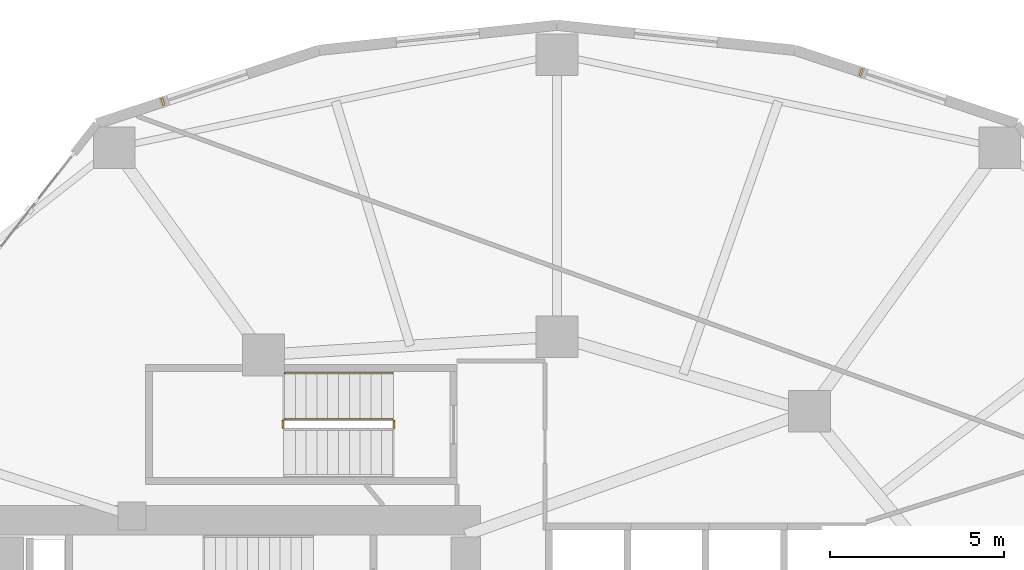
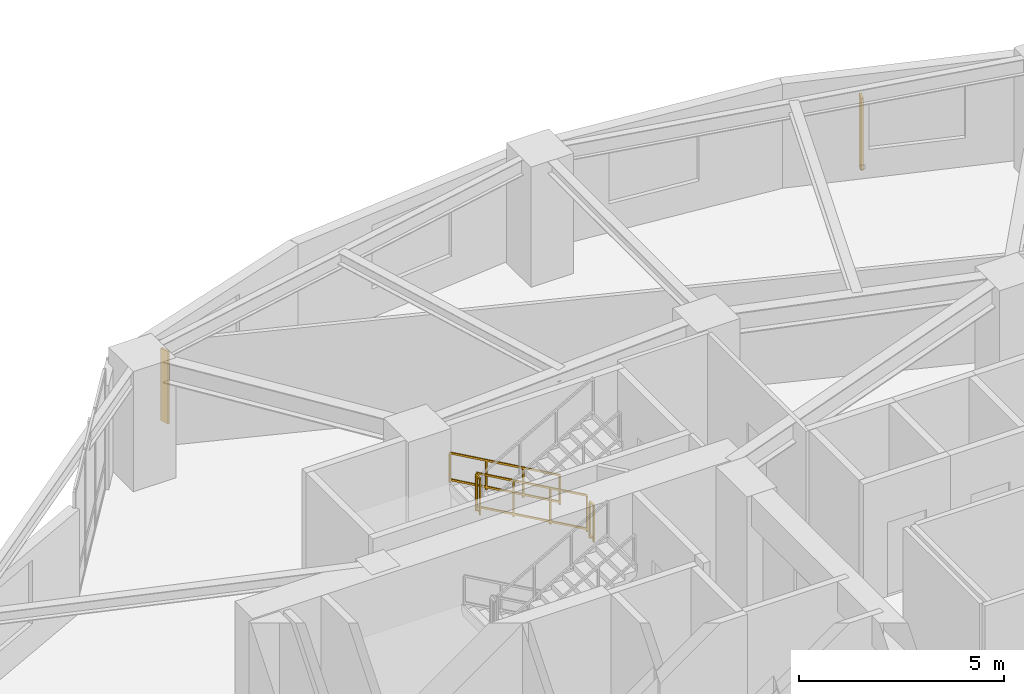
# One storey, part 12 of 12: 4 railings, 2 shading devices.
"""IFC4 building model written with IfcOpenShell, lengths in metres."""

from ifc_helpers import new_model, si_unit, direction, frame, origin, origin_2d, place, context, subcontext, project, spatial, rectangle, extrude, material, type_object, element, save


model = new_model("IFC4")

# Units and contexts
model_context = context("Model", 3, precision=1e-05, world=origin(), true_north=direction((0.0, 1.0)))
body_context = subcontext(model_context, "Body", "Model", "MODEL_VIEW")
ifc_project = project(units=[si_unit("LENGTHUNIT", "METRE"), si_unit("AREAUNIT", "SQUARE_METRE"), si_unit("VOLUMEUNIT", "CUBIC_METRE"), si_unit("PLANEANGLEUNIT", "RADIAN"), si_unit("MASSUNIT", "GRAM", prefix="KILO")], contexts=[model_context])

# Site, building, storey
site_placement = place(None, origin())
site = spatial("IfcSite", under=ifc_project, at=site_placement, CompositionType="ELEMENT")
building_placement = place(site_placement, origin())
building = spatial("IfcBuilding", under=site, at=building_placement, Name="Kolvaren Gate Tower and Convention Centre", CompositionType="ELEMENT")
storey_placement = place(building_placement, frame((0.0, 0.0, 84.25)))
storey = spatial("IfcBuildingStorey", under=building, at=storey_placement, Name="L20", CompositionType="ELEMENT", Elevation=84.25)

# Railings
ifc_material_1 = material(Name="Brushed Stainless Steel Grade 316L", Category="steel")
railing_type_1 = type_object("IfcRailingType", Name="ARCH-RL-GUARD-1150", PredefinedType="GUARDRAIL", material=ifc_material_1)
railing_1_placement = place(storey_placement, frame((25.39990234375, 36.830078125, 0.175048828125)))
element("IfcRailing", 1, at=railing_1_placement, inside=storey, type_object=railing_type_1, Name="L20 ST-T3 stair guard 1", PredefinedType="GUARDRAIL", context=body_context, shape_type="SweptSolid", body=[
    extrude(rectangle(XDim=0.048095703125, YDim=0.048095703125, at=origin_2d()), frame((0.0, 0.0, 1.076171875), z_axis=(-0.870814364268, 0.0, 0.491611984175), x_axis=(0.0, -1.0, 0.0)), (0.0, 0.0, 1.0), 3.559814453125),
    extrude(rectangle(XDim=0.048095703125, YDim=0.048095703125, at=origin_2d()), frame((0.0, 0.0, 0.083984375), z_axis=(-0.870814364268, 0.0, 0.491611984175), x_axis=(0.0, -1.0, 0.0)), (0.0, 0.0, 1.0), 3.559814453125),
    extrude(rectangle(XDim=0.0419921875, YDim=0.0419921875, at=origin_2d()), origin(), (0.0, 0.0, 1.0), 1.050048828125),
    extrude(rectangle(XDim=0.0419921875, YDim=0.0419921875, at=origin_2d()), frame((-3.099853515625, 0.0, 1.75)), (0.0, 0.0, 1.0), 1.050048828125),
    extrude(rectangle(XDim=0.0419921875, YDim=0.0419921875, at=origin_2d()), frame((-1.033203125, 0.0, 0.583251953125)), (0.0, 0.0, 1.0), 1.050048828125),
    extrude(rectangle(XDim=0.0419921875, YDim=0.0419921875, at=origin_2d()), frame((-2.066650390625, 0.0, 1.166748046875)), (0.0, 0.0, 1.0), 1.050048828125),
])
for number, where, name in (
    (2, (22.25, 36.780029296875, 1.925048828125), "L20 ST-T3 stair guard 2"),
    (3, (25.449951171875, 36.780029296875, 0.0), "L20 ST-T3 stair guard 4"),
):
    element("IfcRailing", number, at=place(storey_placement, frame(where)), inside=storey, type_object=railing_type_1, Name=name, PredefinedType="GUARDRAIL", context=body_context, shape_type="SweptSolid", body=[
        extrude(rectangle(XDim=0.048095703125, YDim=0.048095703125, at=origin_2d()), frame((0.0, 0.0, 1.076171875), z_axis=(0.0, -1.0, 0.0), x_axis=(1.0, 0.0, 0.0)), (0.0, 0.0, 1.0), 0.199951171875),
        extrude(rectangle(XDim=0.048095703125, YDim=0.048095703125, at=origin_2d()), frame((0.0, 0.0, 0.083984375), z_axis=(0.0, -1.0, 0.0), x_axis=(1.0, 0.0, 0.0)), (0.0, 0.0, 1.0), 0.199951171875),
        extrude(rectangle(XDim=0.0419921875, YDim=0.0419921875, at=origin_2d()), origin(), (0.0, 0.0, 1.0), 1.050048828125),
        extrude(rectangle(XDim=0.0419921875, YDim=0.0419921875, at=origin_2d()), frame((0.0, -0.199951171875, 0.0)), (0.0, 0.0, 1.0), 1.050048828125),
    ])
railing_type_2 = type_object("IfcRailingType", Name="ARCH-RL-HANDRAIL-920", PredefinedType="HANDRAIL", material=ifc_material_1)
railing_2_placement = place(storey_placement, frame((25.39990234375, 38.14990234375, 0.175048828125)))
element("IfcRailing", 4, at=railing_2_placement, inside=storey, type_object=railing_type_2, Name="L20 ST-T3 stair handrail 1", PredefinedType="HANDRAIL", context=body_context, shape_type="SweptSolid", body=[
    extrude(rectangle(XDim=0.048095703125, YDim=0.048095703125, at=origin_2d()), frame((0.0, 0.0, 0.8759765625), z_axis=(-0.870814364268, 0.0, 0.491611984175), x_axis=(0.0, -1.0, 0.0)), (0.0, 0.0, 1.0), 3.559814453125),
    extrude(rectangle(XDim=0.048095703125, YDim=0.048095703125, at=origin_2d()), frame((0.0, 0.0, 0.083984375), z_axis=(-0.870814364268, 0.0, 0.491611984175), x_axis=(0.0, -1.0, 0.0)), (0.0, 0.0, 1.0), 3.559814453125),
    extrude(rectangle(XDim=0.0419921875, YDim=0.0419921875, at=origin_2d()), origin(), (0.0, 0.0, 1.0), 0.849853515625),
    extrude(rectangle(XDim=0.0419921875, YDim=0.0419921875, at=origin_2d()), frame((-3.099853515625, 0.0, 1.75)), (0.0, 0.0, 1.0), 0.849853515625),
    extrude(rectangle(XDim=0.0419921875, YDim=0.0419921875, at=origin_2d()), frame((-1.033203125, 0.0, 0.583251953125)), (0.0, 0.0, 1.0), 0.849853515625),
    extrude(rectangle(XDim=0.0419921875, YDim=0.0419921875, at=origin_2d()), frame((-2.066650390625, 0.0, 1.166748046875)), (0.0, 0.0, 1.0), 0.849853515625),
])

# Shading devices
ifc_material_2 = material(Name="Kiln-Fired Bogota Terracotta Ceramic Louvre Profile", Category="masonry")
shading_device_type = type_object("IfcShadingDeviceType", Name="ARCH-SHD-FIN-180", PredefinedType="JALOUSIE", material=ifc_material_2)
for number, where, z_axis, x_axis, name in (
    (5, (38.864990234375, 46.800537109375, 0.219970703125), (0.0, 0.0, 1.0), (0.949241728595, -0.314547517385, 0.0), "Ceramic Vertical Brise-Soleil Fin FN-L20-04"),
    (6, (18.8037109375, 45.9453125, 0.219970703125), (0.0, 0.0, 1.0), (0.949240081615, 0.314552487599, 0.0), "Ceramic Vertical Brise-Soleil Fin FN-L20-07"),
):
    element("IfcShadingDevice", number, at=place(storey_placement, frame(where, z_axis=z_axis, x_axis=x_axis)), inside=storey, type_object=shading_device_type, Name=name, PredefinedType="JALOUSIE", context=body_context, shape_type="SweptSolid", body=[
        extrude(rectangle(XDim=0.06005859375, YDim=0.239990234375, at=origin_2d()), origin(), (0.0, 0.0, 1.0), 2.14990234375),
    ])

save(model, "model.ifc")
